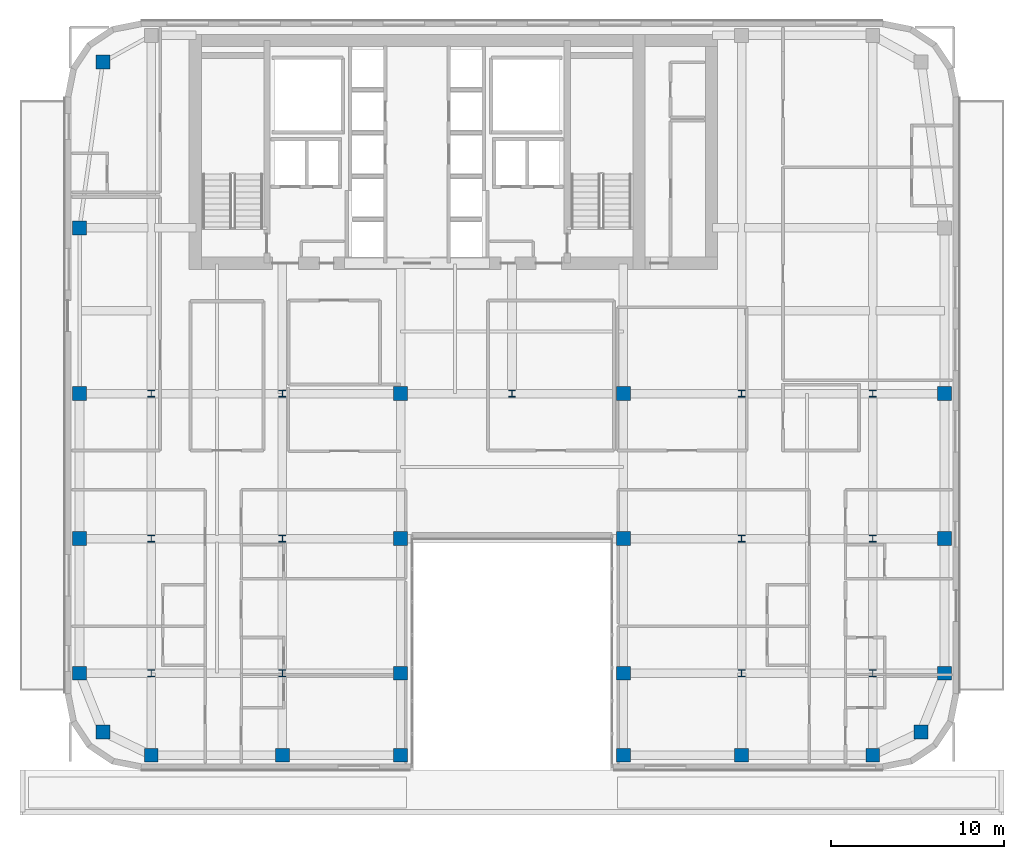
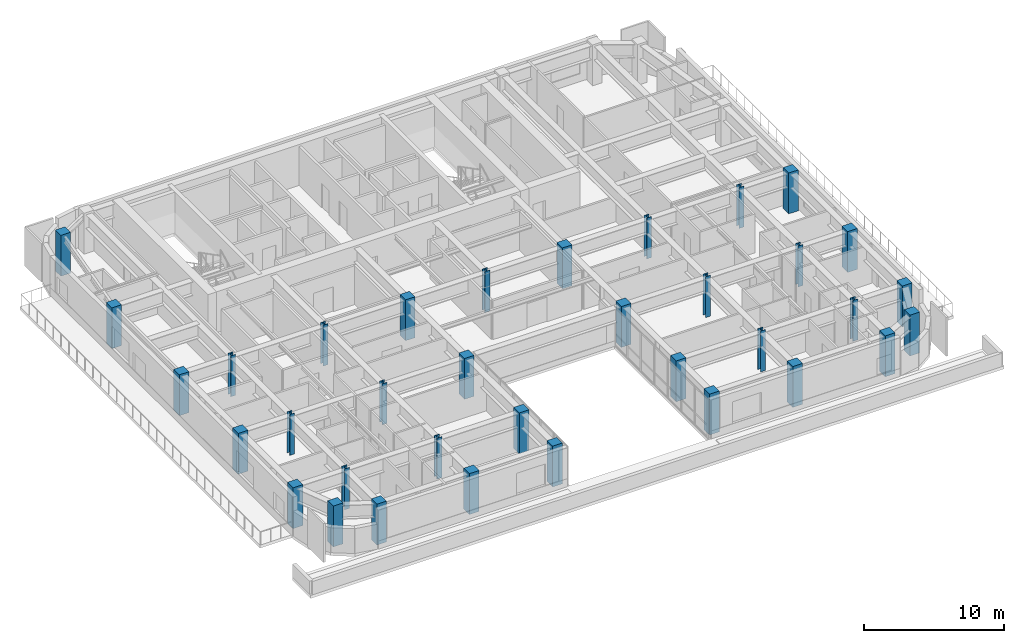
# One storey, part 1 of 20: 35 columns.
"""IFC4 building model written with IfcOpenShell, lengths in metres."""

from ifc_helpers import new_model, si_unit, direction, frame, origin, origin_2d, place, context, subcontext, project, spatial, rectangle, i_section, extrude, source, transform, mapped, material, material_profile, profile_set, type_object, type_shapes, element, save


model = new_model("IFC4")

# Units and contexts
model_context = context("Model", 3, precision=1e-05, world=origin(), true_north=direction((0.0, 1.0)))
body_context = subcontext(model_context, "Body", "Model", "MODEL_VIEW")
ifc_project = project(units=[si_unit("LENGTHUNIT", "METRE"), si_unit("AREAUNIT", "SQUARE_METRE"), si_unit("VOLUMEUNIT", "CUBIC_METRE"), si_unit("PLANEANGLEUNIT", "RADIAN"), si_unit("MASSUNIT", "GRAM", prefix="KILO")], contexts=[model_context])

# Site, building, storey
site_placement = place(None, origin())
site = spatial("IfcSite", under=ifc_project, at=site_placement, CompositionType="ELEMENT")
building_placement = place(site_placement, origin())
building = spatial("IfcBuilding", under=site, at=building_placement, Name="Tolvann Quenvar Hotel", CompositionType="ELEMENT")
storey_placement = place(building_placement, frame((0.0, 0.0, 147.050048828125)))
storey = spatial("IfcBuildingStorey", under=building, at=storey_placement, Name="L38", CompositionType="ELEMENT", Elevation=147.050048828125)

# Columns
ifc_material_1 = material(Name="Concrete N50 (50 MPa)", Category="concrete")
ifc_material_profile_1 = material_profile(ifc_material_1, rectangle(XDim=0.800048828125, YDim=0.800048828125, at=origin_2d()), Name="RC800x800")
ifc_profile_set_1 = profile_set([ifc_material_profile_1], Name="Concrete N50 (50 MPa)")
column_type_1 = type_object("IfcColumnType", Name="COL_RC800", PredefinedType="COLUMN", material=ifc_profile_set_1)
shared_shape_1 = source(origin(), body_context, "Body", "SweptSolid", [
    extrude(rectangle(XDim=0.800048828125, YDim=0.800048828125, at=origin_2d()), origin(), (0.0, 0.0, 1.0), 3.550048828125),
])
type_shapes(column_type_1, [shared_shape_1])
for number, where, z_axis, x_axis, name in (
    (1, (4.800048828125, 4.800048828125, 0.0), (0.0, 0.0, 1.0), (1.0, 0.0, 0.0), "Column B2 (L38)"),
    (2, (3.449951171875, 8.199951171875, 0.0), (0.0, 0.0, 1.0), (1.0, 0.0, 0.0), "Column B3 (L38)"),
    (3, (3.449951171875, 16.0, 0.0), (0.0, 0.0, 1.0), (1.0, 0.0, 0.0), "Column B4 (L38)"),
    (4, (3.449951171875, 24.39990234375, 0.0), (0.0, 0.0, 1.0), (1.0, 0.0, 0.0), "Column B5 (L38)"),
    (5, (7.60009765625, 3.449951171875, 0.0), (0.0, 0.0, 1.0), (1.0, 0.0, 0.0), "Column C2 (L38)"),
    (6, (15.199951171875, 3.449951171875, 0.0), (0.0, 0.0, 1.0), (1.0, 0.0, 0.0), "Column D2 (L38)"),
    (7, (22.050048828125, 3.449951171875, 0.0), (0.0, 0.0, 1.0), (1.0, 0.0, 0.0), "Column E2 (L38)"),
    (8, (22.050048828125, 8.199951171875, 0.0), (0.0, 0.0, 1.0), (1.0, 0.0, 0.0), "Column E3 (L38)"),
    (9, (22.050048828125, 16.0, 0.0), (0.0, 0.0, 1.0), (1.0, 0.0, 0.0), "Column E4 (L38)"),
    (10, (22.050048828125, 24.39990234375, 0.0), (0.0, 0.0, 1.0), (1.0, 0.0, 0.0), "Column E5 (L38)"),
    (11, (34.949951171875, 3.449951171875, 0.0), (0.0, 0.0, 1.0), (1.0, 0.0, 0.0), "Column F2 (L38)"),
    (12, (34.949951171875, 8.199951171875, 0.0), (0.0, 0.0, 1.0), (1.0, 0.0, 0.0), "Column F3 (L38)"),
    (13, (34.949951171875, 16.0, 0.0), (0.0, 0.0, 1.0), (1.0, 0.0, 0.0), "Column F4 (L38)"),
    (14, (34.949951171875, 24.39990234375, 0.0), (0.0, 0.0, 1.0), (1.0, 0.0, 0.0), "Column F5 (L38)"),
    (15, (41.800048828125, 3.449951171875, 0.0), (0.0, 0.0, 1.0), (1.0, 0.0, 0.0), "Column H2 (L38)"),
    (16, (49.39990234375, 3.449951171875, 0.0), (0.0, 0.0, 1.0), (1.0, 0.0, 0.0), "Column I2 (L38)"),
    (17, (52.199951171875, 4.800048828125, 0.0), (0.0, 0.0, 1.0), (1.0, 0.0, 0.0), "Column J2 (L38)"),
    (18, (53.550048828125, 8.199951171875, 0.0), (0.0, 0.0, 1.0), (1.0, 0.0, 0.0), "Column J3 (L38)"),
    (19, (53.550048828125, 16.0, 0.0), (0.0, 0.0, 1.0), (1.0, 0.0, 0.0), "Column J4 (L38)"),
    (20, (53.550048828125, 24.39990234375, 0.0), (0.0, 0.0, 1.0), (1.0, 0.0, 0.0), "Column J5 (L38)"),
    (21, (4.800048828125, 43.60009765625, 0.0), (0.0, 0.0, 1.0), (1.0, 0.0, 0.0), "Column BN (L38)"),
    (22, (3.449951171875, 34.0, 0.0), (0.0, 0.0, 1.0), (1.0, 0.0, 0.0), "Column BD6 (L38)"),
):
    element("IfcColumn", number, at=place(storey_placement, frame(where, z_axis=z_axis, x_axis=x_axis)), inside=storey, type_object=column_type_1, Name=name, PredefinedType="COLUMN", context=body_context, shape_type="MappedRepresentation", body=[
        mapped(shared_shape_1, transform((0.0, 0.0, 0.0), x_axis=(1.0, 0.0, 0.0), y_axis=(0.0, 1.0, 0.0), z_axis=(0.0, 0.0, 1.0), scale=1.0)),
    ])
ifc_material_2 = material(Name="Steel Grade 350", Category="steel")
ifc_material_profile_2 = material_profile(ifc_material_2, i_section(OverallWidth=0.39990234375, OverallDepth=0.39990234375, WebThickness=0.02001953125, FlangeThickness=0.034912109375, at=origin_2d()), Name="400WC270")
ifc_profile_set_2 = profile_set([ifc_material_profile_2], Name="Steel Grade 350")
column_type_2 = type_object("IfcColumnType", Name="COL_400WC270", PredefinedType="COLUMN", material=ifc_profile_set_2)
shared_shape_2 = source(origin(), body_context, "Body", "SweptSolid", [
    extrude(i_section(OverallWidth=0.39990234375, OverallDepth=0.39990234375, WebThickness=0.02001953125, FlangeThickness=0.034912109375, at=origin_2d()), origin(), (0.0, 0.0, 1.0), 3.550048828125),
])
type_shapes(column_type_2, [shared_shape_2])
for number, where, z_axis, x_axis, name in (
    (23, (7.60009765625, 8.199951171875, 0.0), (0.0, 0.0, 1.0), (1.0, 0.0, 0.0), "Column C3 (L38)"),
    (24, (7.60009765625, 16.0, 0.0), (0.0, 0.0, 1.0), (1.0, 0.0, 0.0), "Column C4 (L38)"),
    (25, (7.60009765625, 24.39990234375, 0.0), (0.0, 0.0, 1.0), (1.0, 0.0, 0.0), "Column C5 (L38)"),
    (26, (15.199951171875, 8.199951171875, 0.0), (0.0, 0.0, 1.0), (1.0, 0.0, 0.0), "Column D3 (L38)"),
    (27, (15.199951171875, 16.0, 0.0), (0.0, 0.0, 1.0), (1.0, 0.0, 0.0), "Column D4 (L38)"),
    (28, (15.199951171875, 24.39990234375, 0.0), (0.0, 0.0, 1.0), (1.0, 0.0, 0.0), "Column D5 (L38)"),
    (29, (41.800048828125, 8.199951171875, 0.0), (0.0, 0.0, 1.0), (1.0, 0.0, 0.0), "Column H3 (L38)"),
    (30, (41.800048828125, 16.0, 0.0), (0.0, 0.0, 1.0), (1.0, 0.0, 0.0), "Column H4 (L38)"),
    (31, (41.800048828125, 24.39990234375, 0.0), (0.0, 0.0, 1.0), (1.0, 0.0, 0.0), "Column H5 (L38)"),
    (32, (49.39990234375, 8.199951171875, 0.0), (0.0, 0.0, 1.0), (1.0, 0.0, 0.0), "Column I3 (L38)"),
    (33, (49.39990234375, 16.0, 0.0), (0.0, 0.0, 1.0), (1.0, 0.0, 0.0), "Column I4 (L38)"),
    (34, (49.39990234375, 24.39990234375, 0.0), (0.0, 0.0, 1.0), (1.0, 0.0, 0.0), "Column I5 (L38)"),
    (35, (28.5, 24.39990234375, 0.0), (0.0, 0.0, 1.0), (1.0, 0.0, 0.0), "Column M5 (L38)"),
):
    element("IfcColumn", number, at=place(storey_placement, frame(where, z_axis=z_axis, x_axis=x_axis)), inside=storey, type_object=column_type_2, Name=name, PredefinedType="COLUMN", context=body_context, shape_type="MappedRepresentation", body=[
        mapped(shared_shape_2, transform((0.0, 0.0, 0.0), x_axis=(1.0, 0.0, 0.0), y_axis=(0.0, 1.0, 0.0), z_axis=(0.0, 0.0, 1.0), scale=1.0)),
    ])

save(model, "model.ifc")
